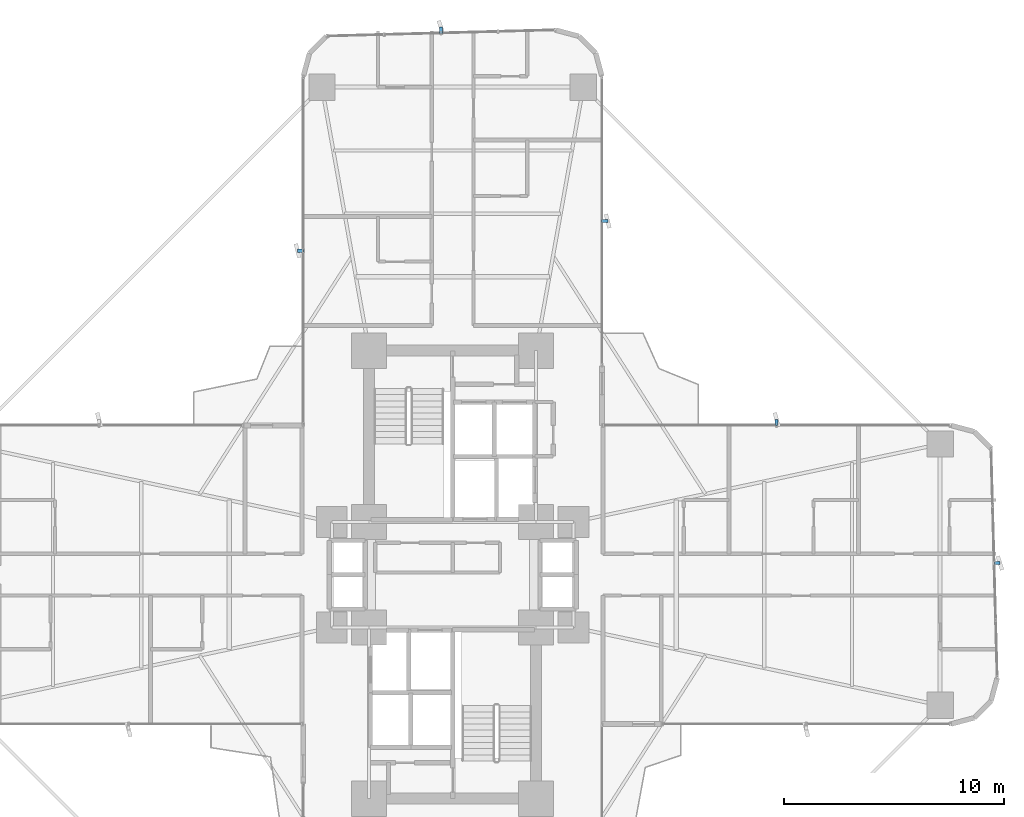
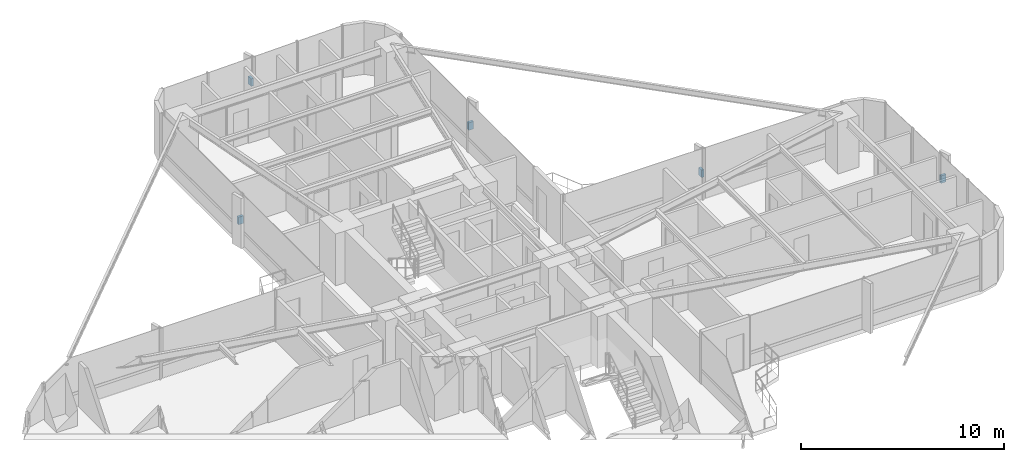
# One storey, part 25 of 26: 5 discrete accessories.
"""IFC4 building model written with IfcOpenShell, lengths in metres."""

from ifc_helpers import new_model, si_unit, direction, frame, origin, origin_2d, place, context, subcontext, project, spatial, rectangle, extrude, source, transform, mapped, material, type_object, element, save


model = new_model("IFC4")

# Units and contexts
model_context = context("Model", 3, precision=1e-05, world=origin(), true_north=direction((0.0, 1.0)))
body_context = subcontext(model_context, "Body", "Model", "MODEL_VIEW")
ifc_project = project(units=[si_unit("LENGTHUNIT", "METRE"), si_unit("AREAUNIT", "SQUARE_METRE"), si_unit("VOLUMEUNIT", "CUBIC_METRE"), si_unit("PLANEANGLEUNIT", "RADIAN"), si_unit("MASSUNIT", "GRAM", prefix="KILO")], contexts=[model_context])

# Site, building, storey
site_placement = place(None, origin())
site = spatial("IfcSite", under=ifc_project, at=site_placement, CompositionType="ELEMENT")
building_placement = place(site_placement, origin())
building = spatial("IfcBuilding", under=site, at=building_placement, Name="Sahyath Konkavel Grand Hotel", CompositionType="ELEMENT")
storey_placement = place(building_placement, frame((0.0, 0.0, 51.050048828125)))
storey = spatial("IfcBuildingStorey", under=building, at=storey_placement, Name="L13", CompositionType="ELEMENT", Elevation=51.050048828125)

# Discrete accessories
ifc_material = material(Name="Steel E350", Category="steel")
discrete_accessory_type = type_object("IfcDiscreteAccessoryType", Name="ACC-FIN-BRACKET", PredefinedType="BRACKET", material=ifc_material)
shared_shape = source(origin(), body_context, "Body", "SweptSolid", [
    extrude(rectangle(XDim=0.280029296875, YDim=0.139892578125, at=origin_2d()), origin(), (0.0, 0.0, 1.0), 0.449951171875),
])
for number, where, z_axis, x_axis, name in (
    (1, (24.789306640625, 0.528564453125, 1.330078125), (0.0, 0.0, 1.0), (0.999637867691, 0.026909728301, 0.0), "L13 Fin Support Bracket F4-2"),
    (2, (14.75, 6.929931640625, 1.330078125), (0.0, 0.0, 1.0), (0.0, 1.0, 0.0), "L13 Fin Support Bracket F7-1"),
    (3, (6.929931640625, 16.10009765625, 1.330078125), (0.0, 0.0, 1.0), (1.0, 0.0, 0.0), "L13 Fin Support Bracket F8-1"),
    (4, (-0.528564453125, 24.789306640625, 1.330078125), (0.0, 0.0, 1.0), (-0.026909728301, 0.999637867691, 0.0), "L13 Fin Support Bracket F12-2"),
    (5, (-6.929931640625, 14.75, 1.330078125), (0.0, 0.0, 1.0), (-1.0, 0.0, 0.0), "L13 Fin Support Bracket F15-1"),
):
    element("IfcDiscreteAccessory", number, at=place(storey_placement, frame(where, z_axis=z_axis, x_axis=x_axis)), inside=storey, type_object=discrete_accessory_type, Name=name, PredefinedType="BRACKET", context=body_context, shape_type="MappedRepresentation", body=[
        mapped(shared_shape, transform((0.0, 0.0, 0.0), scale=1.0)),
    ])

save(model, "model.ifc")
